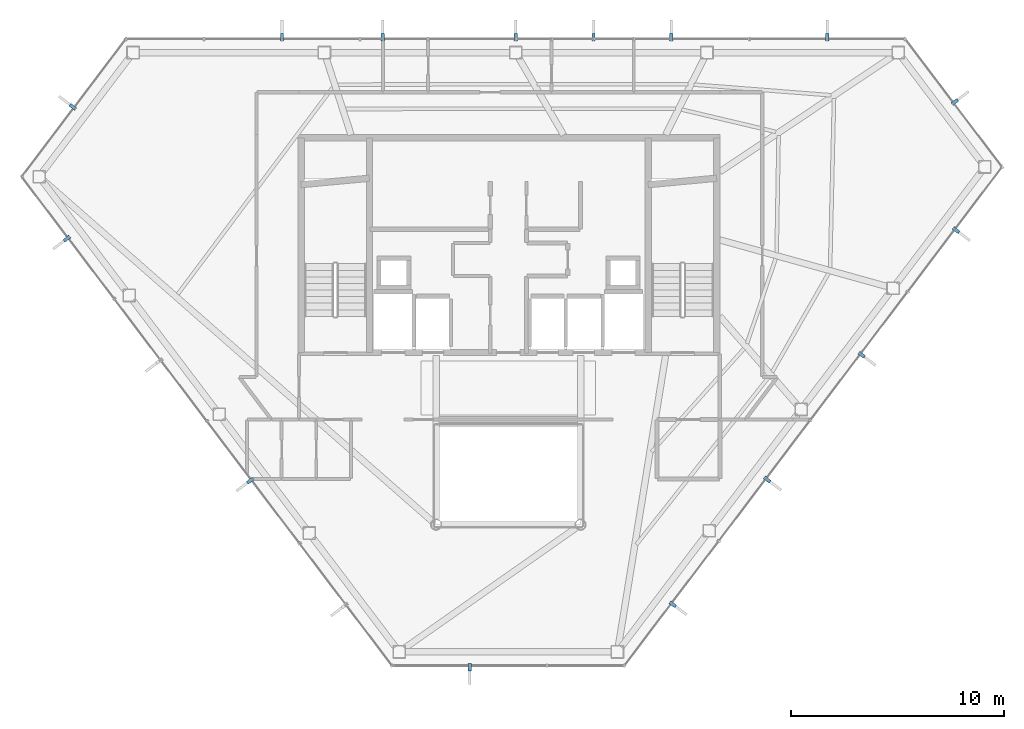
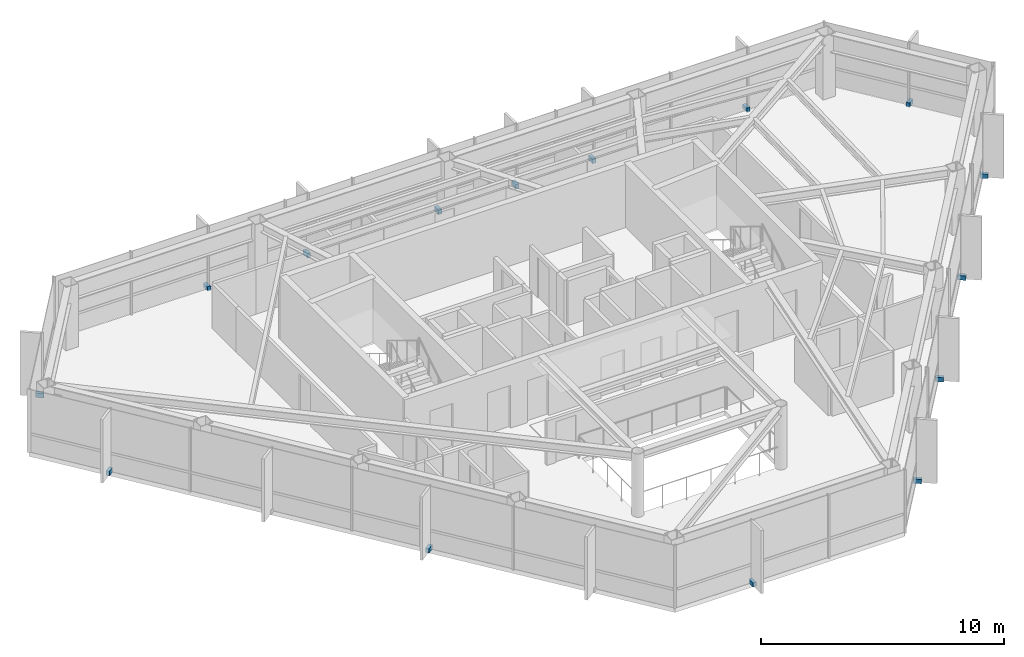
# One storey, part 24 of 25: 15 discrete accessories.
"""IFC4 building model written with IfcOpenShell, lengths in metres."""

from ifc_helpers import new_model, si_unit, direction, frame, origin, origin_2d, place, context, subcontext, project, spatial, rectangle, extrude, material, type_object, element, save


model = new_model("IFC4")

# Units and contexts
model_context = context("Model", 3, precision=1e-05, world=origin(), true_north=direction((0.0, 1.0)))
body_context = subcontext(model_context, "Body", "Model", "MODEL_VIEW")
ifc_project = project(units=[si_unit("LENGTHUNIT", "METRE"), si_unit("AREAUNIT", "SQUARE_METRE"), si_unit("VOLUMEUNIT", "CUBIC_METRE"), si_unit("PLANEANGLEUNIT", "RADIAN"), si_unit("MASSUNIT", "GRAM", prefix="KILO")], contexts=[model_context])

# Site, building, storey
site_placement = place(None, origin())
site = spatial("IfcSite", under=ifc_project, at=site_placement, CompositionType="ELEMENT")
building_placement = place(site_placement, origin())
building = spatial("IfcBuilding", under=site, at=building_placement, Name="Zarrinselat Tower", CompositionType="ELEMENT")
storey_placement = place(building_placement, frame((0.0, 0.0, 239.360107421875)))
storey = spatial("IfcBuildingStorey", under=building, at=storey_placement, Name="L60", CompositionType="ELEMENT", Elevation=239.360107421875)

# Discrete accessories
ifc_material = material(Name="Steel S355J2", Category="steel")
discrete_accessory_type = type_object("IfcDiscreteAccessoryType", Name="ACC-FIN-BRACKET", PredefinedType="BRACKET", material=ifc_material)
for number, where, z_axis, x_axis, name in (
    (1, (53.40380859375, 48.131103515625, -0.05029296875), (0.0, 0.0, 1.0), (0.0, 1.0, 0.0), "L60 Fin Fixing Bracket CW-L60-E01-01"),
    (2, (46.07421875, 48.131103515625, -0.05029296875), (0.0, 0.0, 1.0), (0.0, 1.0, 0.0), "L60 Fin Fixing Bracket CW-L60-E01-03"),
    (3, (42.409423828125, 48.131103515625, -0.05029296875), (0.0, 0.0, 1.0), (0.0, 1.0, 0.0), "L60 Fin Fixing Bracket CW-L60-E01-05"),
    (4, (38.744873046875, 48.131103515625, -0.05029296875), (0.0, 0.0, 1.0), (0.0, 1.0, 0.0), "L60 Fin Fixing Bracket CW-L60-E01-07"),
    (5, (32.5, 48.131103515625, -0.05029296875), (0.0, 0.0, 1.0), (0.0, 1.0, 0.0), "L60 Fin Fixing Bracket CW-L60-E01-09"),
    (6, (27.75048828125, 48.131103515625, -0.05029296875), (0.0, 0.0, 1.0), (0.0, 1.0, 0.0), "L60 Fin Fixing Bracket CW-L60-E01-11"),
    (7, (17.908447265625, 44.860595703125, -0.05029296875), (0.0, 0.0, 1.0), (-0.797091072554, 0.603859107785, 0.0), "L60 Fin Fixing Bracket CW-L60-E02-01"),
    (8, (17.631103515625, 38.65673828125, -0.05029296875), (0.0, 0.0, 1.0), (-0.797091996588, -0.603857888062, 0.0), "L60 Fin Fixing Bracket CW-L60-E03-01"),
    (9, (26.25634765625, 27.271484375, -0.05029296875), (0.0, 0.0, 1.0), (-0.797091996588, -0.603857888062, 0.0), "L60 Fin Fixing Bracket CW-L60-E03-05"),
    (10, (36.58056640625, 18.49267578125, -0.05029296875), (0.0, 0.0, 1.0), (0.0, -1.0, 0.0), "L60 Fin Fixing Bracket CW-L60-E04-01"),
    (11, (46.136474609375, 21.453857421875, -0.05029296875), (0.0, 0.0, 1.0), (0.797091553674, -0.603858472709, 0.0), "L60 Fin Fixing Bracket CW-L60-E05-01"),
    (12, (50.5810546875, 27.32080078125, -0.05029296875), (0.0, 0.0, 1.0), (0.797091553674, -0.603858472709, 0.0), "L60 Fin Fixing Bracket CW-L60-E05-03"),
    (13, (55.02587890625, 33.18798828125, -0.05029296875), (0.0, 0.0, 1.0), (0.797091553674, -0.603858472709, 0.0), "L60 Fin Fixing Bracket CW-L60-E05-05"),
    (14, (59.470458984375, 39.054931640625, -0.05029296875), (0.0, 0.0, 1.0), (0.797091553674, -0.603858472709, 0.0), "L60 Fin Fixing Bracket CW-L60-E05-07"),
    (15, (59.40869140625, 45.08837890625, -0.05029296875), (0.0, 0.0, 1.0), (0.797086364274, 0.603865322642, 0.0), "L60 Fin Fixing Bracket CW-L60-E06-01"),
):
    element("IfcDiscreteAccessory", number, at=place(storey_placement, frame(where, z_axis=z_axis, x_axis=x_axis)), inside=storey, type_object=discrete_accessory_type, Name=name, PredefinedType="BRACKET", context=body_context, shape_type="SweptSolid", body=[
        extrude(rectangle(XDim=0.340087890625, YDim=0.159912109375, at=origin_2d()), origin(), (0.0, 0.0, 1.0), 0.219970703125),
    ])

save(model, "model.ifc")
